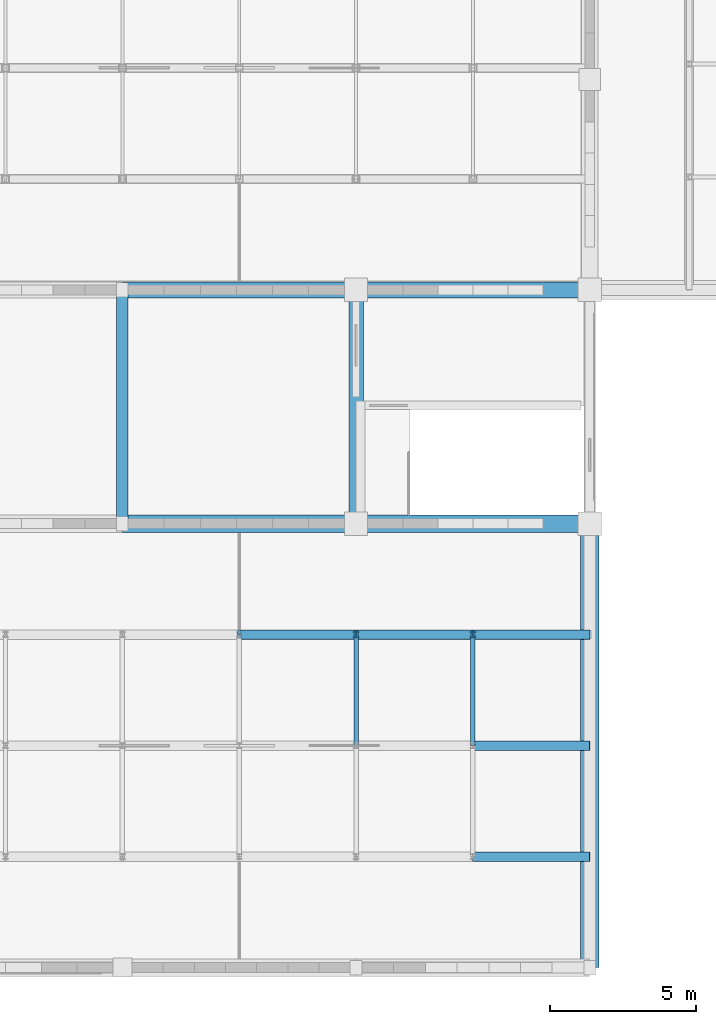
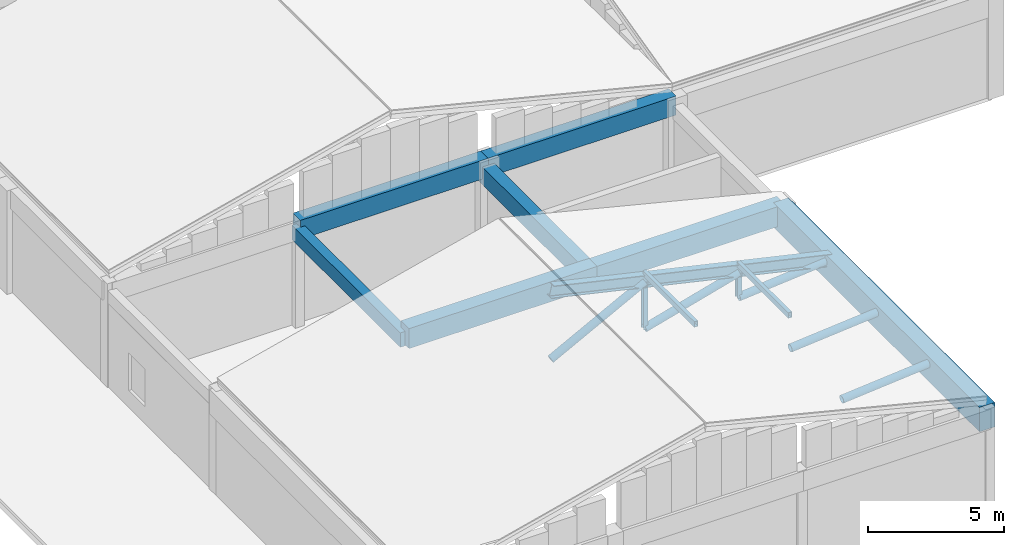
# One storey, part 26 of 61: 10 members, 7 beams.
"""IFC4 building model written with IfcOpenShell, lengths in metres."""

from ifc_helpers import new_model, si_unit, direction, frame, origin, origin_2d, place, context, subcontext, project, spatial, rectangle, hollow_rectangle, hollow_circle, i_section, extrude, material, material_profile, profile_set, type_object, element, save


model = new_model("IFC4")

# Units and contexts
model_context = context("Model", 3, precision=1e-05, world=origin(), true_north=direction((0.0, 1.0)))
body_context = subcontext(model_context, "Body", "Model", "MODEL_VIEW")
ifc_project = project(units=[si_unit("LENGTHUNIT", "METRE"), si_unit("AREAUNIT", "SQUARE_METRE"), si_unit("VOLUMEUNIT", "CUBIC_METRE"), si_unit("PLANEANGLEUNIT", "RADIAN"), si_unit("MASSUNIT", "GRAM", prefix="KILO")], contexts=[model_context])

# Site, building, storey
site_placement = place(None, origin())
site = spatial("IfcSite", under=ifc_project, at=site_placement, CompositionType="ELEMENT")
building_placement = place(site_placement, origin())
building = spatial("IfcBuilding", under=site, at=building_placement, Name="Vellmiral Cinema and Media Centre", CompositionType="ELEMENT")
storey_placement = place(building_placement, frame((0.0, 0.0, 10.800048828125)))
storey = spatial("IfcBuildingStorey", under=building, at=storey_placement, Name="L02", CompositionType="ELEMENT", Elevation=10.800048828125)

# Beams
ifc_material_1 = material(Name="Concrete C40/50", Category="concrete")
ifc_material_profile_1 = material_profile(ifc_material_1, rectangle(XDim=0.39990234375, YDim=0.64990234375, at=origin_2d()), Name="RC 400x650")
ifc_profile_set_1 = profile_set([ifc_material_profile_1], Name="Concrete C40/50")
beam_type_1 = type_object("IfcBeamType", Name="BM-RC-400x650", PredefinedType="BEAM", material=ifc_profile_set_1)
beam_1_placement = place(storey_placement, frame((132.0, 28.0, 4.169921875), z_axis=(0.0, 1.0, 0.0), x_axis=(-1.0, 0.0, 0.0)))
element("IfcBeam", 1, at=beam_1_placement, inside=storey, type_object=beam_type_1, Name="Grid Beam L02-Y162", PredefinedType="BEAM", context=body_context, shape_type="SweptSolid", body=[
    extrude(rectangle(XDim=0.39990234375, YDim=0.64990234375, at=origin_2d()), origin(), (0.0, 0.0, 1.0), 8.0),
])
ifc_material_2 = material(Name="Concrete C40/50", Category="concrete")
ifc_material_profile_2 = material_profile(ifc_material_2, rectangle(XDim=0.5, YDim=0.800048828125, at=origin_2d()), Name="RC 500x800")
ifc_profile_set_2 = profile_set([ifc_material_profile_2], Name="Concrete C40/50")
beam_type_2 = type_object("IfcBeamType", Name="BM-RC-500x800", PredefinedType="BEAM", material=ifc_profile_set_2)
beam_2_placement = place(storey_placement, frame((140.0, 28.0, 4.094970703125), z_axis=(0.0, 1.0, 0.0), x_axis=(-1.0, 0.0, 0.0)))
element("IfcBeam", 2, at=beam_2_placement, inside=storey, type_object=beam_type_2, Name="Grid Beam L02-Y170", PredefinedType="BEAM", context=body_context, shape_type="SweptSolid", body=[
    extrude(rectangle(XDim=0.5, YDim=0.800048828125, at=origin_2d()), origin(), (0.0, 0.0, 1.0), 8.0),
])

# Members
ifc_material_3 = material(Name="Steel S355", Category="steel")
ifc_material_profile_3 = material_profile(ifc_material_3, hollow_rectangle(XDim=0.14990234375, YDim=0.25, WallThickness=0.010009765625, at=origin_2d()), Name="RHS 250x150x10.0")
ifc_profile_set_3 = profile_set([ifc_material_profile_3], Name="Steel S355")
member_type_1 = type_object("IfcMemberType", Name="PRL-RHS250", PredefinedType="PURLIN", material=ifc_profile_set_3)
for number, where, z_axis, x_axis, name in (
    (3, (140.0, 20.39990234375, 6.634521484375), (0.0, 1.0, 0.0), (-1.0, 0.0, 0.0), "Roof Purlin 5.4.2"),
    (4, (144.0, 20.39990234375, 5.63720703125), (0.0, 1.0, 0.0), (-1.0, 0.0, 0.0), "Roof Purlin 5.5.2"),
):
    element("IfcMember", number, at=place(storey_placement, frame(where, z_axis=z_axis, x_axis=x_axis)), inside=storey, type_object=member_type_1, Name=name, PredefinedType="PURLIN", context=body_context, shape_type="SweptSolid", body=[
        extrude(hollow_rectangle(XDim=0.14990234375, YDim=0.25, WallThickness=0.010009765625, at=origin_2d()), origin(), (0.0, 0.0, 1.0), 3.800048828125),
    ])

# Beams
ifc_material_4 = material(Name="Concrete C40/50", Category="concrete")
ifc_material_profile_4 = material_profile(ifc_material_4, rectangle(XDim=0.550048828125, YDim=0.85009765625, at=origin_2d()), Name="RC 550x850")
ifc_profile_set_4 = profile_set([ifc_material_profile_4], Name="Concrete C40/50")
beam_type_3 = type_object("IfcBeamType", Name="RING-BM-550x850", PredefinedType="BEAM", material=ifc_profile_set_4)
for number, where, z_axis, x_axis, name in (
    (5, (132.0, 36.0, 4.375), (1.0, 0.0, 0.0), (0.0, 1.0, 0.0), "Cinema Screen 6 Ring Beam 02"),
    (6, (140.0, 36.0, 4.375), (1.0, 0.0, 0.0), (0.0, 1.0, 0.0), "Cinema Screen 6 Ring Beam 03"),
):
    element("IfcBeam", number, at=place(storey_placement, frame(where, z_axis=z_axis, x_axis=x_axis)), inside=storey, type_object=beam_type_3, Name=name, PredefinedType="BEAM", context=body_context, shape_type="SweptSolid", body=[
        extrude(rectangle(XDim=0.550048828125, YDim=0.85009765625, at=origin_2d()), origin(), (0.0, 0.0, 1.0), 8.0),
    ])
ifc_material_5 = material(Name="Concrete C40/50", Category="concrete")
ifc_material_profile_5 = material_profile(ifc_material_5, rectangle(XDim=0.60009765625, YDim=0.89990234375, at=origin_2d()), Name="RC 600x900")
ifc_profile_set_5 = profile_set([ifc_material_profile_5], Name="Concrete C40/50")
beam_type_4 = type_object("IfcBeamType", Name="RING-BM-600x900", PredefinedType="BEAM", material=ifc_profile_set_5)
for number, where, z_axis, x_axis, name in (
    (7, (132.0, 28.0, 4.349853515625), (1.0, 0.0, 0.0), (0.0, 1.0, 0.0), "Cinema Screen 5 Ring Beam 05"),
    (8, (140.0, 28.0, 4.349853515625), (1.0, 0.0, 0.0), (0.0, 1.0, 0.0), "Cinema Screen 5 Ring Beam 06"),
):
    element("IfcBeam", number, at=place(storey_placement, frame(where, z_axis=z_axis, x_axis=x_axis)), inside=storey, type_object=beam_type_4, Name=name, PredefinedType="BEAM", context=body_context, shape_type="SweptSolid", body=[
        extrude(rectangle(XDim=0.60009765625, YDim=0.89990234375, at=origin_2d()), origin(), (0.0, 0.0, 1.0), 8.0),
    ])
ifc_material_6 = material(Name="Concrete C40/50", Category="concrete")
ifc_material_profile_6 = material_profile(ifc_material_6, rectangle(XDim=0.64990234375, YDim=1.10009765625, at=origin_2d()), Name="RC 650x1100")
ifc_profile_set_6 = profile_set([ifc_material_profile_6], Name="Concrete C40/50")
beam_type_5 = type_object("IfcBeamType", Name="RING-BMG-650x1100", PredefinedType="BEAM", material=ifc_profile_set_6)
beam_3_placement = place(storey_placement, frame((148.0, 12.800048828125, 4.25), z_axis=(0.0, 1.0, 0.0), x_axis=(-1.0, 0.0, 0.0)))
element("IfcBeam", 9, at=beam_3_placement, inside=storey, type_object=beam_type_5, Name="Cinema Screen 5 Ring Beam 08", PredefinedType="BEAM", context=body_context, shape_type="SweptSolid", body=[
    extrude(rectangle(XDim=0.64990234375, YDim=1.10009765625, at=origin_2d()), origin(), (0.0, 0.0, 1.0), 15.199951171875),
])

# Members
ifc_material_7 = material(Name="Steel S355", Category="steel")
ifc_material_profile_7 = material_profile(ifc_material_7, hollow_circle(Radius=0.161865234375, WallThickness=0.012451171875, at=origin_2d()), Name="CHS 323.9x12.5")
ifc_profile_set_7 = profile_set([ifc_material_profile_7], Name="Steel S355")
member_type_2 = type_object("IfcMemberType", Name="TBR-CHS324", PredefinedType="BRACE", material=ifc_profile_set_7)
for number, where, z_axis, x_axis, name in (
    (10, (144.0, 16.60009765625, 4.14990234375), (0.996191605278, 0.0, 0.087191086546), (0.0, 1.0, 0.0), "Roof Truss TR-05.1 Diagonal 6"),
    (11, (144.0, 20.39990234375, 4.14990234375), (0.996191605278, 0.0, 0.087191086546), (0.0, 1.0, 0.0), "Roof Truss TR-05.2 Diagonal 6"),
):
    element("IfcMember", number, at=place(storey_placement, frame(where, z_axis=z_axis, x_axis=x_axis)), inside=storey, type_object=member_type_2, Name=name, PredefinedType="BRACE", context=body_context, shape_type="SweptSolid", body=[
        extrude(hollow_circle(Radius=0.161865234375, WallThickness=0.012451171875, at=origin_2d()), origin(), (0.0, 0.0, 1.0), 4.015380859375),
    ])
member_1_placement = place(storey_placement, frame((136.0, 24.199951171875, 4.14990234375), z_axis=(0.885433487316, 0.0, 0.464766112727), x_axis=(0.0, 1.0, 0.0)))
element("IfcMember", 12, at=member_1_placement, inside=storey, type_object=member_type_2, Name="Roof Truss TR-05.3 Diagonal 4", PredefinedType="BRACE", context=body_context, shape_type="SweptSolid", body=[
    extrude(hollow_circle(Radius=0.161865234375, WallThickness=0.012451171875, at=origin_2d()), origin(), (0.0, 0.0, 1.0), 4.517578125),
])
member_2_placement = place(storey_placement, frame((140.0, 24.199951171875, 4.14990234375), z_axis=(0.964063843926, 0.0, 0.265670669881), x_axis=(0.0, 1.0, 0.0)))
element("IfcMember", 13, at=member_2_placement, inside=storey, type_object=member_type_2, Name="Roof Truss TR-05.3 Diagonal 5", PredefinedType="BRACE", context=body_context, shape_type="SweptSolid", body=[
    extrude(hollow_circle(Radius=0.161865234375, WallThickness=0.012451171875, at=origin_2d()), origin(), (0.0, 0.0, 1.0), 4.149169921875),
])
member_3_placement = place(storey_placement, frame((144.0, 24.199951171875, 4.14990234375), z_axis=(0.996191605278, 0.0, 0.087191086546), x_axis=(0.0, 1.0, 0.0)))
element("IfcMember", 14, at=member_3_placement, inside=storey, type_object=member_type_2, Name="Roof Truss TR-05.3 Diagonal 6", PredefinedType="BRACE", context=body_context, shape_type="SweptSolid", body=[
    extrude(hollow_circle(Radius=0.161865234375, WallThickness=0.012451171875, at=origin_2d()), origin(), (0.0, 0.0, 1.0), 4.015380859375),
])
ifc_material_8 = material(Name="Steel S355", Category="steel")
ifc_material_profile_8 = material_profile(ifc_material_8, i_section(OverallWidth=0.179931640625, OverallDepth=0.179931640625, WebThickness=0.008544921875, FlangeThickness=0.013916015625, FilletRadius=0.014892578125, at=origin_2d()), Name="HEB 180")
ifc_profile_set_8 = profile_set([ifc_material_profile_8], Name="Steel S355")
member_type_3 = type_object("IfcMemberType", Name="TBR-HEB180", PredefinedType="BRACE", material=ifc_profile_set_8)
member_4_placement = place(storey_placement, frame((140.0, 24.199951171875, 4.14990234375), z_axis=(0.0, 0.0, 1.0), x_axis=(1.0, 0.0, 0.0)))
element("IfcMember", 15, at=member_4_placement, inside=storey, type_object=member_type_3, Name="Roof Truss TR-05.3 Post 4", PredefinedType="BRACE", context=body_context, shape_type="SweptSolid", body=[
    extrude(i_section(OverallWidth=0.179931640625, OverallDepth=0.179931640625, WebThickness=0.008544921875, FlangeThickness=0.013916015625, FilletRadius=0.014892578125, at=origin_2d()), origin(), (0.0, 0.0, 1.0), 2.099609375),
])
member_5_placement = place(storey_placement, frame((144.0, 24.199951171875, 4.14990234375), z_axis=(0.0, 0.0, 1.0), x_axis=(1.0, 0.0, 0.0)))
element("IfcMember", 16, at=member_5_placement, inside=storey, type_object=member_type_3, Name="Roof Truss TR-05.3 Post 5", PredefinedType="BRACE", context=body_context, shape_type="SweptSolid", body=[
    extrude(i_section(OverallWidth=0.179931640625, OverallDepth=0.179931640625, WebThickness=0.008544921875, FlangeThickness=0.013916015625, FilletRadius=0.014892578125, at=origin_2d()), origin(), (0.0, 0.0, 1.0), 1.102294921875),
])
ifc_material_9 = material(Name="Steel S355", Category="steel")
ifc_material_profile_9 = material_profile(ifc_material_9, i_section(OverallWidth=0.300048828125, OverallDepth=0.5400390625, WebThickness=0.012451171875, FlangeThickness=0.02392578125, FilletRadius=0.027099609375, at=origin_2d()), Name="HEA 550")
ifc_profile_set_9 = profile_set([ifc_material_profile_9], Name="Steel S355")
member_type_4 = type_object("IfcMemberType", Name="TCH-HEA550", PredefinedType="CHORD", material=ifc_profile_set_9)
member_6_placement = place(storey_placement, frame((136.0, 24.199951171875, 7.246826171875), z_axis=(0.974788422875, 0.0, -0.223131196), x_axis=(0.0, 1.0, 0.0)))
element("IfcMember", 17, at=member_6_placement, inside=storey, type_object=member_type_4, Name="Roof Truss TR-05.3 Top Chord E", PredefinedType="CHORD", context=body_context, shape_type="SweptSolid", body=[
    extrude(i_section(OverallWidth=0.300048828125, OverallDepth=0.5400390625, WebThickness=0.012451171875, FlangeThickness=0.02392578125, FilletRadius=0.027099609375, at=origin_2d()), origin(), (0.0, 0.0, 1.0), 12.310302734375),
])

save(model, "model.ifc")
